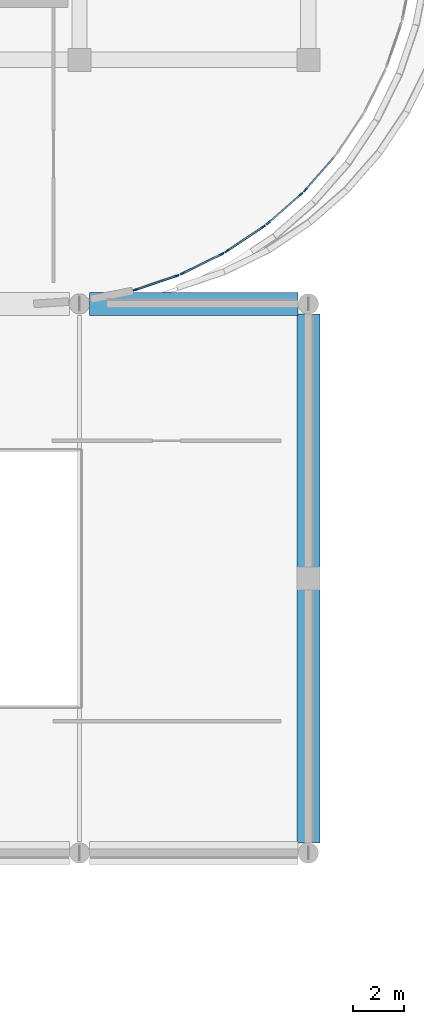
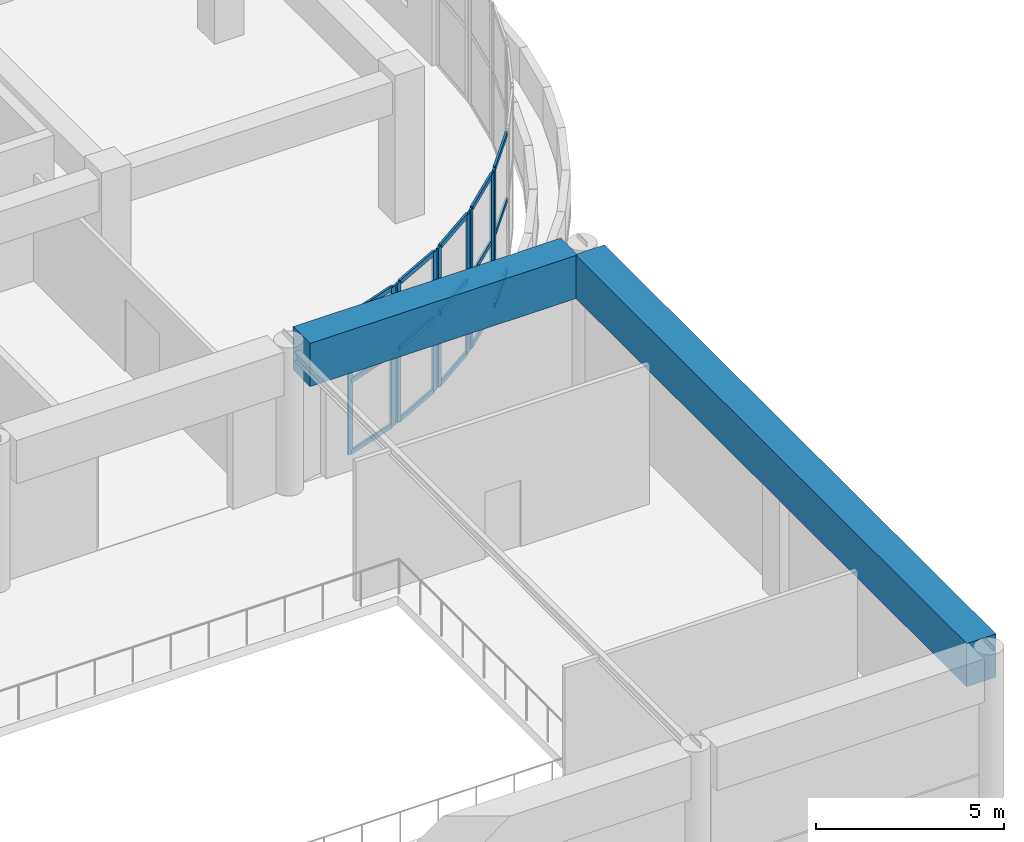
# One storey, part 38 of 96: 24 members, 2 beams, 5 elements without a shape of their own.
"""IFC4 building model written with IfcOpenShell, lengths in metres."""

from ifc_helpers import new_model, si_unit, direction, frame, origin, origin_2d, place, context, subcontext, project, spatial, rectangle, extrude, material, layer, layer_set, material_profile, profile_set, type_object, element, aggregate, save


model = new_model("IFC4")

# Units and contexts
model_context = context("Model", 3, precision=1e-05, world=origin(), true_north=direction((0.0, 1.0)))
body_context = subcontext(model_context, "Body", "Model", "MODEL_VIEW")
ifc_project = project(units=[si_unit("LENGTHUNIT", "METRE"), si_unit("AREAUNIT", "SQUARE_METRE"), si_unit("VOLUMEUNIT", "CUBIC_METRE"), si_unit("PLANEANGLEUNIT", "RADIAN"), si_unit("MASSUNIT", "GRAM", prefix="KILO")], contexts=[model_context])

# Site, building, storey
site_placement = place(None, origin())
site = spatial("IfcSite", under=ifc_project, at=site_placement, CompositionType="ELEMENT")
building_placement = place(site_placement, origin())
building = spatial("IfcBuilding", under=site, at=building_placement, Name="Cendralis Terraced Arcade", CompositionType="ELEMENT")
storey_placement = place(building_placement, frame((0.0, 0.0, 10.199951171875)))
storey = spatial("IfcBuildingStorey", under=building, at=storey_placement, Name="L02", CompositionType="ELEMENT", Elevation=10.199951171875)

# Curtain wall, member
ifc_material_1 = material(Name="Anodised aluminium EN AW-6063 T6", Category="aluminium")
ifc_layer = layer(ifc_material_1, 0.179931640625, Name="CW-UNIT-A")
ifc_layer_set = layer_set([ifc_layer], Name="Anodised aluminium EN AW-6063 T6")
curtain_wall_type = type_object("IfcCurtainWallType", Name="CW-UNIT-A", PredefinedType="USERDEFINED", material=ifc_layer_set)
curtain_wall_1_placement = place(storey_placement, origin())
curtain_wall_1 = element("IfcCurtainWall", 1, at=curtain_wall_1_placement, inside=storey, type_object=curtain_wall_type, Name="Exterior Unitised Facade CW-L02-0173", ObjectType="UNITISED FACADE", PredefinedType="USERDEFINED")
ifc_material_profile_1 = material_profile(ifc_material_1, rectangle(XDim=0.06494140625, YDim=0.179931640625, at=origin_2d()), Name="ALU-MUL-65x180")
ifc_profile_set_1 = profile_set([ifc_material_profile_1], Name="Anodised aluminium EN AW-6063 T6")
member_type_1 = type_object("IfcMemberType", Name="CW-UNIT-A-MUL", PredefinedType="MULLION", material=ifc_profile_set_1)
member_1_placement = place(storey_placement, frame((166.08740234375, 64.485595703125, 0.0), z_axis=(0.0, 0.0, 1.0), x_axis=(0.751804497477, -0.659386076266, 0.0)))
member_1 = element("IfcMember", 2, at=member_1_placement, type_object=member_type_1, Name="CW-U1 mullion 2", PredefinedType="MULLION", context=body_context, shape_type="SweptSolid", body=[
    extrude(rectangle(XDim=0.06494140625, YDim=0.179931640625, at=origin_2d()), origin(), (0.0, 0.0, 1.0), 4.51513671875),
])

# Curtain wall, members
curtain_wall_2_placement = place(storey_placement, origin())
curtain_wall_2 = element("IfcCurtainWall", 3, at=curtain_wall_2_placement, inside=storey, type_object=curtain_wall_type, Name="Exterior Unitised Facade CW-L02-0174", ObjectType="UNITISED FACADE", PredefinedType="USERDEFINED")
member_2_placement = place(storey_placement, frame((165.91455078125, 64.312744140625, 0.0), z_axis=(0.0, 0.0, 1.0), x_axis=(0.659386076266, -0.751804497477, 0.0)))
member_2 = element("IfcMember", 4, at=member_2_placement, type_object=member_type_1, Name="CW-U1 mullion 1", PredefinedType="MULLION", context=body_context, shape_type="SweptSolid", body=[
    extrude(rectangle(XDim=0.06494140625, YDim=0.179931640625, at=origin_2d()), origin(), (0.0, 0.0, 1.0), 4.51513671875),
])
member_3_placement = place(storey_placement, frame((164.62353515625, 63.180419921875, 0.0), z_axis=(0.0, 0.0, 1.0), x_axis=(0.659386076266, -0.751804497477, 0.0)))
member_3 = element("IfcMember", 5, at=member_3_placement, type_object=member_type_1, Name="CW-U1 mullion 2", PredefinedType="MULLION", context=body_context, shape_type="SweptSolid", body=[
    extrude(rectangle(XDim=0.06494140625, YDim=0.179931640625, at=origin_2d()), origin(), (0.0, 0.0, 1.0), 4.51513671875),
])

curtain_wall_3_placement = place(storey_placement, origin())
curtain_wall_3 = element("IfcCurtainWall", 6, at=curtain_wall_3_placement, inside=storey, type_object=curtain_wall_type, Name="Exterior Unitised Facade CW-L02-0175", ObjectType="UNITISED FACADE", PredefinedType="USERDEFINED")
member_4_placement = place(storey_placement, frame((164.4296875, 63.03173828125, 0.0), z_axis=(0.0, 0.0, 1.0), x_axis=(0.555567476528, -0.831471454125, 0.0)))
member_4 = element("IfcMember", 7, at=member_4_placement, type_object=member_type_1, Name="CW-U1 mullion 1", PredefinedType="MULLION", context=body_context, shape_type="SweptSolid", body=[
    extrude(rectangle(XDim=0.06494140625, YDim=0.179931640625, at=origin_2d()), origin(), (0.0, 0.0, 1.0), 4.51513671875),
])
member_5_placement = place(storey_placement, frame((163.001708984375, 62.07763671875, 0.0), z_axis=(0.0, 0.0, 1.0), x_axis=(0.555567476528, -0.831471454125, 0.0)))
member_5 = element("IfcMember", 8, at=member_5_placement, type_object=member_type_1, Name="CW-U1 mullion 2", PredefinedType="MULLION", context=body_context, shape_type="SweptSolid", body=[
    extrude(rectangle(XDim=0.06494140625, YDim=0.179931640625, at=origin_2d()), origin(), (0.0, 0.0, 1.0), 4.51513671875),
])

curtain_wall_4_placement = place(storey_placement, origin())
curtain_wall_4 = element("IfcCurtainWall", 9, at=curtain_wall_4_placement, inside=storey, type_object=curtain_wall_type, Name="Exterior Unitised Facade CW-L02-0176", ObjectType="UNITISED FACADE", PredefinedType="USERDEFINED")
member_6_placement = place(storey_placement, frame((162.7900390625, 61.955322265625, 0.0), z_axis=(0.0, 0.0, 1.0), x_axis=(0.442291247495, -0.896871480419, 0.0)))
member_6 = element("IfcMember", 10, at=member_6_placement, type_object=member_type_1, Name="CW-U1 mullion 1", PredefinedType="MULLION", context=body_context, shape_type="SweptSolid", body=[
    extrude(rectangle(XDim=0.06494140625, YDim=0.179931640625, at=origin_2d()), origin(), (0.0, 0.0, 1.0), 4.51513671875),
])
member_7_placement = place(storey_placement, frame((161.250244140625, 61.196044921875, 0.0), z_axis=(0.0, 0.0, 1.0), x_axis=(0.442291247495, -0.896871480419, 0.0)))
member_7 = element("IfcMember", 11, at=member_7_placement, type_object=member_type_1, Name="CW-U1 mullion 2", PredefinedType="MULLION", context=body_context, shape_type="SweptSolid", body=[
    extrude(rectangle(XDim=0.06494140625, YDim=0.179931640625, at=origin_2d()), origin(), (0.0, 0.0, 1.0), 4.51513671875),
])

curtain_wall_5_placement = place(storey_placement, origin())
curtain_wall_5 = element("IfcCurtainWall", 12, at=curtain_wall_5_placement, inside=storey, type_object=curtain_wall_type, Name="Exterior Unitised Facade CW-L02-0177", ObjectType="UNITISED FACADE", PredefinedType="USERDEFINED")
member_8_placement = place(storey_placement, frame((161.0244140625, 61.1025390625, 0.0), z_axis=(0.0, 0.0, 1.0), x_axis=(0.321458077458, -0.946923811316, 0.0)))
member_8 = element("IfcMember", 13, at=member_8_placement, type_object=member_type_1, Name="CW-U1 mullion 1", PredefinedType="MULLION", context=body_context, shape_type="SweptSolid", body=[
    extrude(rectangle(XDim=0.06494140625, YDim=0.179931640625, at=origin_2d()), origin(), (0.0, 0.0, 1.0), 4.51513671875),
])
member_9_placement = place(storey_placement, frame((159.398193359375, 60.550537109375, 0.0), z_axis=(0.0, 0.0, 1.0), x_axis=(0.321458077458, -0.946923811316, 0.0)))
member_9 = element("IfcMember", 14, at=member_9_placement, type_object=member_type_1, Name="CW-U1 mullion 2", PredefinedType="MULLION", context=body_context, shape_type="SweptSolid", body=[
    extrude(rectangle(XDim=0.06494140625, YDim=0.179931640625, at=origin_2d()), origin(), (0.0, 0.0, 1.0), 4.51513671875),
])

# Member
ifc_material_profile_2 = material_profile(ifc_material_1, rectangle(XDim=0.06494140625, YDim=0.14990234375, at=origin_2d()), Name="ALU-TRN-65x150")
ifc_profile_set_2 = profile_set([ifc_material_profile_2], Name="Anodised aluminium EN AW-6063 T6")
member_type_2 = type_object("IfcMemberType", Name="CW-UNIT-A-TRN", PredefinedType="USERDEFINED", material=ifc_profile_set_2)
member_10_placement = place(storey_placement, frame((167.1982421875, 65.751953125, 0.032470703125), z_axis=(-0.659497885552, -0.75170641806, 0.0), x_axis=(0.75170641806, -0.659497885552, 0.0)))
member_10 = element("IfcMember", 15, at=member_10_placement, type_object=member_type_2, Name="CW-U1 transom 1.1", ObjectType="TRANSOM", PredefinedType="USERDEFINED", context=body_context, shape_type="SweptSolid", body=[
    extrude(rectangle(XDim=0.06494140625, YDim=0.14990234375, at=origin_2d()), origin(), (0.0, 0.0, 1.0), 1.652099609375),
])

member_11_placement = place(storey_placement, frame((167.1982421875, 65.751953125, 2.347900390625), z_axis=(-0.659497885552, -0.75170641806, 0.0), x_axis=(0.75170641806, -0.659497885552, 0.0)))
member_11 = element("IfcMember", 16, at=member_11_placement, type_object=member_type_2, Name="CW-U1 transom 1.2", ObjectType="TRANSOM", PredefinedType="USERDEFINED", context=body_context, shape_type="SweptSolid", body=[
    extrude(rectangle(XDim=0.06494140625, YDim=0.14990234375, at=origin_2d()), origin(), (0.0, 0.0, 1.0), 1.652099609375),
])

member_12_placement = place(storey_placement, frame((167.1982421875, 65.751953125, 4.482666015625), z_axis=(-0.659497885552, -0.75170641806, 0.0), x_axis=(0.75170641806, -0.659497885552, 0.0)))
member_12 = element("IfcMember", 17, at=member_12_placement, type_object=member_type_2, Name="CW-U1 transom 1.3", ObjectType="TRANSOM", PredefinedType="USERDEFINED", context=body_context, shape_type="SweptSolid", body=[
    extrude(rectangle(XDim=0.06494140625, YDim=0.14990234375, at=origin_2d()), origin(), (0.0, 0.0, 1.0), 1.652099609375),
])

aggregate(curtain_wall_1, [member_1, member_10, member_11, member_12])

member_13_placement = place(storey_placement, frame((165.89013671875, 64.291259765625, 0.032470703125), z_axis=(-0.751843927425, -0.659341117172, 0.0), x_axis=(0.659341117172, -0.751843927425, 0.0)))
member_13 = element("IfcMember", 18, at=member_13_placement, type_object=member_type_2, Name="CW-U1 transom 1.1", ObjectType="TRANSOM", PredefinedType="USERDEFINED", context=body_context, shape_type="SweptSolid", body=[
    extrude(rectangle(XDim=0.06494140625, YDim=0.14990234375, at=origin_2d()), origin(), (0.0, 0.0, 1.0), 1.652099609375),
])

member_14_placement = place(storey_placement, frame((165.89013671875, 64.291259765625, 2.347900390625), z_axis=(-0.751843927425, -0.659341117172, 0.0), x_axis=(0.659341117172, -0.751843927425, 0.0)))
member_14 = element("IfcMember", 19, at=member_14_placement, type_object=member_type_2, Name="CW-U1 transom 1.2", ObjectType="TRANSOM", PredefinedType="USERDEFINED", context=body_context, shape_type="SweptSolid", body=[
    extrude(rectangle(XDim=0.06494140625, YDim=0.14990234375, at=origin_2d()), origin(), (0.0, 0.0, 1.0), 1.652099609375),
])

member_15_placement = place(storey_placement, frame((165.89013671875, 64.291259765625, 4.482666015625), z_axis=(-0.751843927425, -0.659341117172, 0.0), x_axis=(0.659341117172, -0.751843927425, 0.0)))
member_15 = element("IfcMember", 20, at=member_15_placement, type_object=member_type_2, Name="CW-U1 transom 1.3", ObjectType="TRANSOM", PredefinedType="USERDEFINED", context=body_context, shape_type="SweptSolid", body=[
    extrude(rectangle(XDim=0.06494140625, YDim=0.14990234375, at=origin_2d()), origin(), (0.0, 0.0, 1.0), 1.652099609375),
])

aggregate(curtain_wall_2, [member_2, member_3, member_13, member_14, member_15])

member_16_placement = place(storey_placement, frame((164.402587890625, 63.013671875, 0.032470703125), z_axis=(-0.831458772582, -0.555586455466, 0.0), x_axis=(0.555586455466, -0.831458772582, 0.0)))
member_16 = element("IfcMember", 21, at=member_16_placement, type_object=member_type_2, Name="CW-U1 transom 1.1", ObjectType="TRANSOM", PredefinedType="USERDEFINED", context=body_context, shape_type="SweptSolid", body=[
    extrude(rectangle(XDim=0.06494140625, YDim=0.14990234375, at=origin_2d()), origin(), (0.0, 0.0, 1.0), 1.65234375),
])

member_17_placement = place(storey_placement, frame((164.402587890625, 63.013671875, 2.347900390625), z_axis=(-0.831458772582, -0.555586455466, 0.0), x_axis=(0.555586455466, -0.831458772582, 0.0)))
member_17 = element("IfcMember", 22, at=member_17_placement, type_object=member_type_2, Name="CW-U1 transom 1.2", ObjectType="TRANSOM", PredefinedType="USERDEFINED", context=body_context, shape_type="SweptSolid", body=[
    extrude(rectangle(XDim=0.06494140625, YDim=0.14990234375, at=origin_2d()), origin(), (0.0, 0.0, 1.0), 1.65234375),
])

member_18_placement = place(storey_placement, frame((164.402587890625, 63.013671875, 4.482666015625), z_axis=(-0.831458772582, -0.555586455466, 0.0), x_axis=(0.555586455466, -0.831458772582, 0.0)))
member_18 = element("IfcMember", 23, at=member_18_placement, type_object=member_type_2, Name="CW-U1 transom 1.3", ObjectType="TRANSOM", PredefinedType="USERDEFINED", context=body_context, shape_type="SweptSolid", body=[
    extrude(rectangle(XDim=0.06494140625, YDim=0.14990234375, at=origin_2d()), origin(), (0.0, 0.0, 1.0), 1.65234375),
])

aggregate(curtain_wall_3, [member_4, member_5, member_16, member_17, member_18])

member_19_placement = place(storey_placement, frame((162.760986328125, 61.941162109375, 0.032470703125), z_axis=(-0.896866855431, -0.442300625853, 0.0), x_axis=(0.442300625853, -0.896866855431, 0.0)))
member_19 = element("IfcMember", 24, at=member_19_placement, type_object=member_type_2, Name="CW-U1 transom 1.1", ObjectType="TRANSOM", PredefinedType="USERDEFINED", context=body_context, shape_type="SweptSolid", body=[
    extrude(rectangle(XDim=0.06494140625, YDim=0.14990234375, at=origin_2d()), origin(), (0.0, 0.0, 1.0), 1.652099609375),
])

member_20_placement = place(storey_placement, frame((162.760986328125, 61.941162109375, 2.347900390625), z_axis=(-0.896866855431, -0.442300625853, 0.0), x_axis=(0.442300625853, -0.896866855431, 0.0)))
member_20 = element("IfcMember", 25, at=member_20_placement, type_object=member_type_2, Name="CW-U1 transom 1.2", ObjectType="TRANSOM", PredefinedType="USERDEFINED", context=body_context, shape_type="SweptSolid", body=[
    extrude(rectangle(XDim=0.06494140625, YDim=0.14990234375, at=origin_2d()), origin(), (0.0, 0.0, 1.0), 1.652099609375),
])

member_21_placement = place(storey_placement, frame((162.760986328125, 61.941162109375, 4.482666015625), z_axis=(-0.896866855431, -0.442300625853, 0.0), x_axis=(0.442300625853, -0.896866855431, 0.0)))
member_21 = element("IfcMember", 26, at=member_21_placement, type_object=member_type_2, Name="CW-U1 transom 1.3", ObjectType="TRANSOM", PredefinedType="USERDEFINED", context=body_context, shape_type="SweptSolid", body=[
    extrude(rectangle(XDim=0.06494140625, YDim=0.14990234375, at=origin_2d()), origin(), (0.0, 0.0, 1.0), 1.652099609375),
])

aggregate(curtain_wall_4, [member_6, member_7, member_19, member_20, member_21])

member_22_placement = place(storey_placement, frame((160.99365234375, 61.092041015625, 0.032470703125), z_axis=(-0.946910445793, -0.321497445787, 0.0), x_axis=(0.321497445787, -0.946910445793, 0.0)))
member_22 = element("IfcMember", 27, at=member_22_placement, type_object=member_type_2, Name="CW-U1 transom 1.1", ObjectType="TRANSOM", PredefinedType="USERDEFINED", context=body_context, shape_type="SweptSolid", body=[
    extrude(rectangle(XDim=0.06494140625, YDim=0.14990234375, at=origin_2d()), origin(), (0.0, 0.0, 1.0), 1.65234375),
])

member_23_placement = place(storey_placement, frame((160.99365234375, 61.092041015625, 2.347900390625), z_axis=(-0.946910445793, -0.321497445787, 0.0), x_axis=(0.321497445787, -0.946910445793, 0.0)))
member_23 = element("IfcMember", 28, at=member_23_placement, type_object=member_type_2, Name="CW-U1 transom 1.2", ObjectType="TRANSOM", PredefinedType="USERDEFINED", context=body_context, shape_type="SweptSolid", body=[
    extrude(rectangle(XDim=0.06494140625, YDim=0.14990234375, at=origin_2d()), origin(), (0.0, 0.0, 1.0), 1.65234375),
])

member_24_placement = place(storey_placement, frame((160.99365234375, 61.092041015625, 4.482666015625), z_axis=(-0.946910445793, -0.321497445787, 0.0), x_axis=(0.321497445787, -0.946910445793, 0.0)))
member_24 = element("IfcMember", 29, at=member_24_placement, type_object=member_type_2, Name="CW-U1 transom 1.3", ObjectType="TRANSOM", PredefinedType="USERDEFINED", context=body_context, shape_type="SweptSolid", body=[
    extrude(rectangle(XDim=0.06494140625, YDim=0.14990234375, at=origin_2d()), origin(), (0.0, 0.0, 1.0), 1.65234375),
])

aggregate(curtain_wall_5, [member_8, member_9, member_22, member_23, member_24])

# Beams
ifc_material_2 = material(Name="Concrete f'c 35 MPa", Category="concrete")
ifc_material_profile_3 = material_profile(ifc_material_2, rectangle(XDim=0.89990234375, YDim=1.39990234375, at=origin_2d()), Name="RC-RB-900x1400", Category="LoadBearing")
ifc_profile_set_3 = profile_set([ifc_material_profile_3], Name="Concrete f'c 35 MPa")
beam_type = type_object("IfcBeamType", Name="RB-900x1400", PredefinedType="BEAM", material=ifc_profile_set_3)
beam_1_placement = place(storey_placement, frame((157.60009765625, 60.0, 4.10009765625), z_axis=(1.0, 0.0, 0.0), x_axis=(0.0, 1.0, 0.0)))
element("IfcBeam", 30, at=beam_1_placement, inside=storey, type_object=beam_type, Name="Shopping Arcade Barrel Vault Springing Ring Beam RB-ARC-N-11", PredefinedType="BEAM", context=body_context, shape_type="SweptSolid", body=[
    extrude(rectangle(XDim=0.89990234375, YDim=1.39990234375, at=origin_2d()), origin(), (0.0, 0.0, 1.0), 8.199951171875),
])
beam_2_placement = place(storey_placement, frame((166.199951171875, 38.800048828125, 4.10009765625), z_axis=(0.0, 1.0, 0.0), x_axis=(-1.0, 0.0, 0.0)))
element("IfcBeam", 31, at=beam_2_placement, inside=storey, type_object=beam_type, Name="Shopping Arcade Barrel Vault Gable Ring Beam RB-ARC-E", PredefinedType="BEAM", context=body_context, shape_type="SweptSolid", body=[
    extrude(rectangle(XDim=0.89990234375, YDim=1.39990234375, at=origin_2d()), origin(), (0.0, 0.0, 1.0), 20.800048828125),
])

save(model, "model.ifc")
